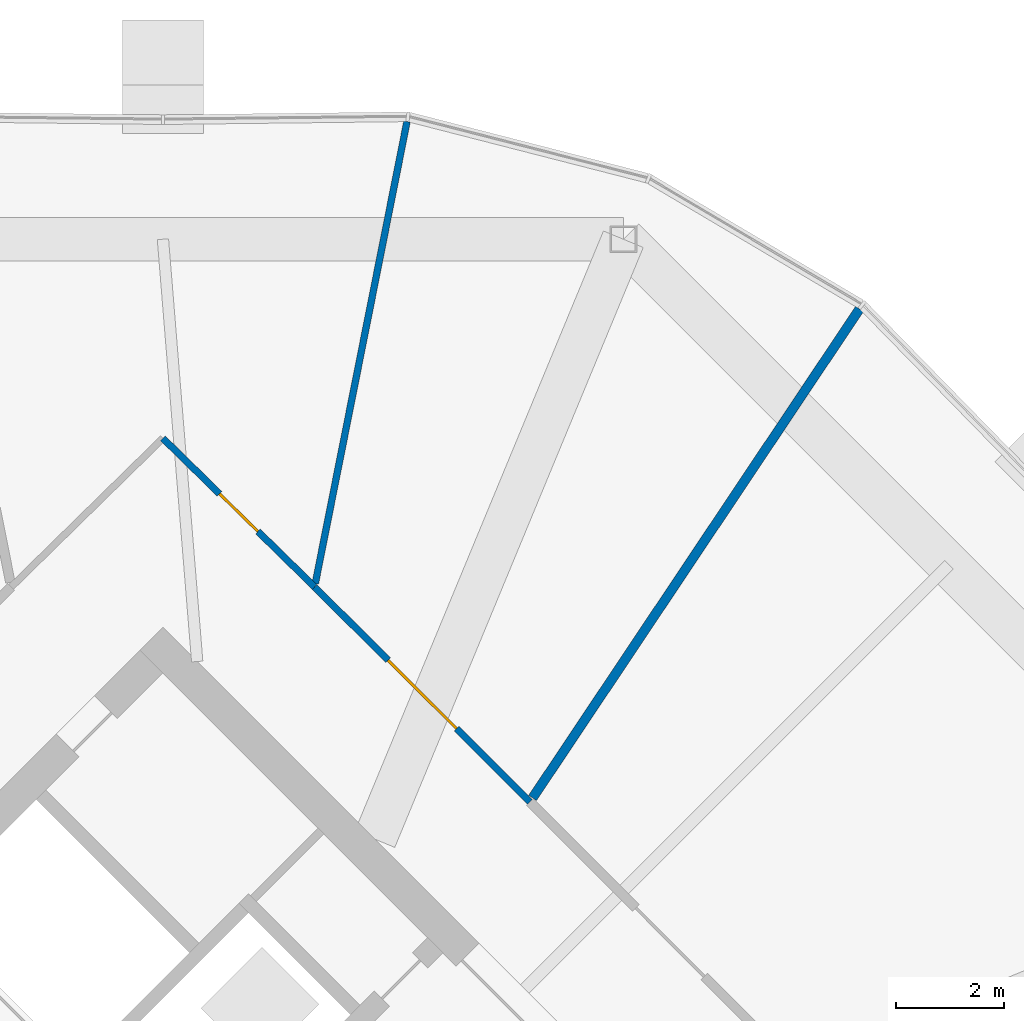
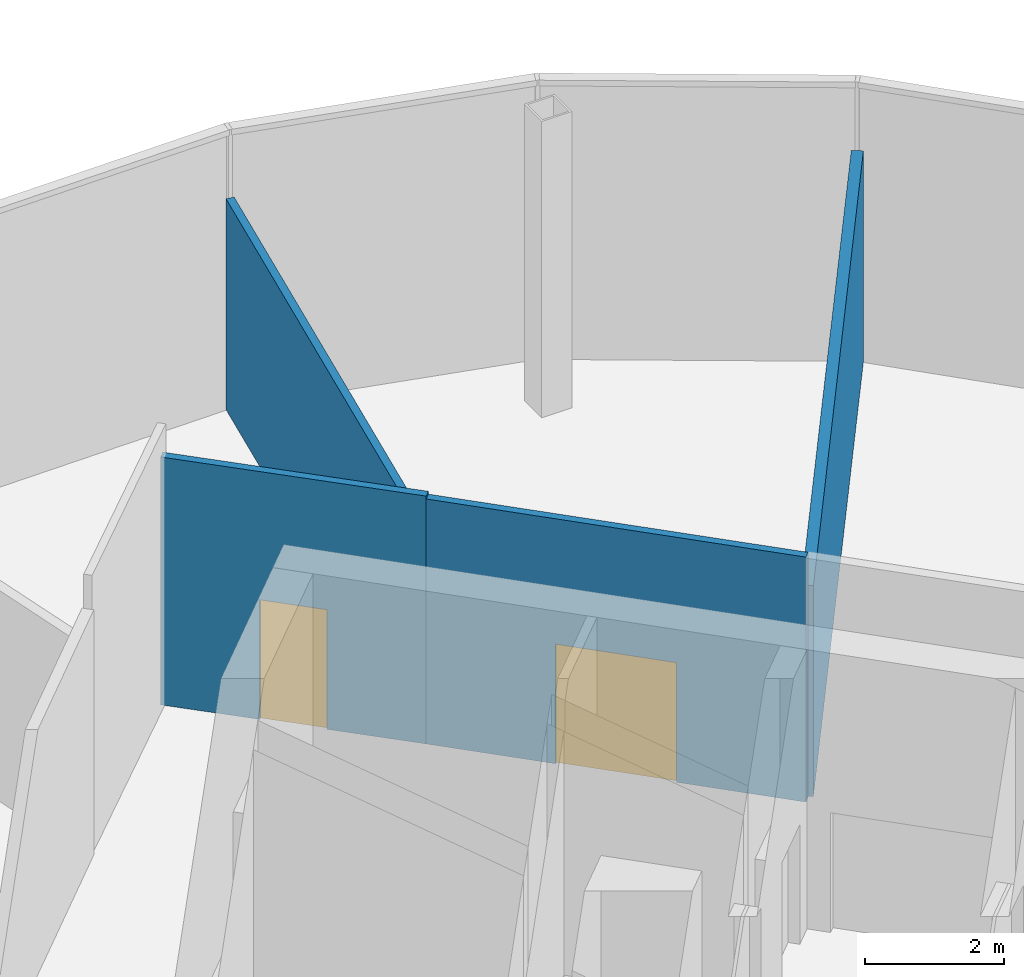
# One storey, part 24 of 28: 4 walls, 2 doors, 2 openings.
"""IFC4 building model written with IfcOpenShell, lengths in metres."""

import ifcopenshell
import ifcopenshell.guid

model = None  # the IFC model being written
_history = None  # IfcOwnerHistory: only IFC2X3 demands one
_inside = {}  # id of a spatial element -> (the spatial element, [elements in it])
_under = {}  # id of a project, library or spatial element -> (it, [spatial elements below it])
_declared = {}  # id of a project -> (the project, [libraries it declares])
_typed = {}  # id of a type object -> (the type object, [elements of that type])
_made_of = {}  # id of a material, layer set ... -> (it, [elements and type objects made of it])


def new_model(schema):
    """Start an empty IFC model of exactly this schema.

    Asked for "IFC4X3", IfcOpenShell would pick the latest addendum, in which some entities
    have other attributes; the version numbers below select the first issue.
    IFC2X3 requires an IfcOwnerHistory on every rooted entity: one is made here for all.
    """
    global model, _history
    if schema == "IFC4X3":
        model = ifcopenshell.file(schema_version=(4, 3, 0, 0))
    else:
        model = ifcopenshell.file(schema=schema)
    _inside.clear()
    _under.clear()
    _declared.clear()
    _typed.clear()
    _made_of.clear()
    _history = None
    if model.schema == "IFC2X3":
        org = make("IfcOrganization", Name="unknown")
        user = make(
            "IfcPersonAndOrganization",
            ThePerson=make("IfcPerson", FamilyName="unknown"),
            TheOrganization=org,
        )
        app = make(
            "IfcApplication",
            ApplicationDeveloper=org,
            Version="unknown",
            ApplicationFullName="unknown",
            ApplicationIdentifier="unknown",
        )
        _history = make(
            "IfcOwnerHistory",
            OwningUser=user,
            OwningApplication=app,
            ChangeAction="ADDED",
            CreationDate=0,
        )
    return model


def make(cls, **values):
    """One entity of the class cls with the attributes given. An attribute that is None is left unset."""
    return model.create_entity(
        cls, **{name: value for name, value in values.items() if value is not None}
    )


def rooted(cls, **values):
    """An entity with a GlobalId (a new one), such as an element, a storey or a relation."""
    return make(cls, GlobalId=ifcopenshell.guid.new(), OwnerHistory=_history, **values)


def si_unit(unit_type, name, prefix=None):
    """IfcSIUnit, for example si_unit("LENGTHUNIT", "METRE", prefix="MILLI")."""
    return make("IfcSIUnit", UnitType=unit_type, Prefix=prefix, Name=name)


def assignment(units):
    """IfcUnitAssignment: the units of a project."""
    return None if units is None else make("IfcUnitAssignment", Units=units)


def point(xyz):
    """IfcCartesianPoint."""
    return None if xyz is None else make("IfcCartesianPoint", Coordinates=xyz)


def direction(xyz):
    """IfcDirection."""
    return None if xyz is None else make("IfcDirection", DirectionRatios=xyz)


def frame(location, z_axis=None, x_axis=None):
    """IfcAxis2Placement3D, a coordinate frame: its origin and axes. An axis left out is left unset."""
    return make(
        "IfcAxis2Placement3D",
        Location=point(location),
        Axis=direction(z_axis),
        RefDirection=direction(x_axis),
    )


def frame_2d(location, x_axis=None):
    """IfcAxis2Placement2D, a coordinate frame in the plane: its origin and x axis."""
    return make(
        "IfcAxis2Placement2D", Location=point(location), RefDirection=direction(x_axis)
    )


def origin():
    """The frame at (0, 0, 0) with its axes left unset."""
    return frame((0.0, 0.0, 0.0))


def place(relative_to, where):
    """IfcLocalPlacement: puts the frame where relative to a parent placement (None: the world)."""
    return make(
        "IfcLocalPlacement", PlacementRelTo=relative_to, RelativePlacement=where
    )


def context(
    kind, dimensions, precision=None, world=None, true_north=None, identifier=None
):
    """IfcGeometricRepresentationContext, for example the 3D "Model" context."""
    return make(
        "IfcGeometricRepresentationContext",
        ContextIdentifier=identifier,
        ContextType=kind,
        CoordinateSpaceDimension=dimensions,
        Precision=precision,
        WorldCoordinateSystem=world,
        TrueNorth=true_north,
    )


def subcontext(parent, identifier, kind, view, scale=None):
    """IfcGeometricRepresentationSubContext, for example "Body" below "Model"."""
    return make(
        "IfcGeometricRepresentationSubContext",
        ContextIdentifier=identifier,
        ContextType=kind,
        ParentContext=parent,
        TargetScale=scale,
        TargetView=view,
    )


def project(units=None, contexts=None):
    """IfcProject with its units and contexts."""
    return rooted(
        "IfcProject",
        Name="project",
        RepresentationContexts=contexts,
        UnitsInContext=assignment(units),
    )


def spatial(cls, under=None, at=None, **own):
    """A site, building, storey or space (cls), placed at a placement, below another one or the project."""
    s = rooted(cls, ObjectPlacement=at, **own)
    if under is not None:
        _under.setdefault(under.id(), (under, []))[1].append(s)
    return s


def profile(cls, at=None, kind="AREA", **sizes):
    """A parametric profile (cls). Its sizes go by their IFC names, for example OverallWidth=200.0."""
    return make(cls, ProfileType=kind, Position=at, **sizes)


def rectangle(**sizes):
    """IfcRectangleProfileDef."""
    return profile("IfcRectangleProfileDef", **sizes)


def extrude(swept, where, along, depth):
    """IfcExtrudedAreaSolid: the profile swept, set in the frame where, extruded along a direction by depth."""
    return make(
        "IfcExtrudedAreaSolid",
        SweptArea=swept,
        Position=where,
        ExtrudedDirection=direction(along),
        Depth=depth,
    )


def shape(context_of_items, identifier, shape_type, items):
    """IfcShapeRepresentation: the items that make up one representation, for example the "Body"."""
    return make(
        "IfcShapeRepresentation",
        ContextOfItems=context_of_items,
        RepresentationIdentifier=identifier,
        RepresentationType=shape_type,
        Items=items,
    )


def material(Name=None, Category=None):
    """IfcMaterial."""
    return make("IfcMaterial", Name=Name, Category=Category)


def layer(
    of_material, thickness, ventilated=None, Name=None, Category=None, Priority=None
):
    """IfcMaterialLayer: one layer of a wall or slab, of a material (None: an air gap)."""
    return make(
        "IfcMaterialLayer",
        Material=of_material,
        LayerThickness=thickness,
        IsVentilated=ventilated,
        Name=Name,
        Category=Category,
        Priority=Priority,
    )


def layer_set(layers, Name=None):
    """IfcMaterialLayerSet."""
    return make("IfcMaterialLayerSet", MaterialLayers=layers, LayerSetName=Name)


def made_of(thing, what):
    """Note that an element or type object is made of a material, layer set ...; save() writes the relation."""
    if what is not None:
        _made_of.setdefault(what.id(), (what, []))[1].append(thing)
    return thing


def type_object(cls, material=None, **own):
    """A type object (cls), such as IfcWallType, which elements share."""
    return made_of(rooted(cls, **own), material)


def element(
    cls,
    number,
    at=None,
    inside=None,
    cuts=None,
    type_object=None,
    material=None,
    context=None,
    identifier="Body",
    shape_type=None,
    held_by="IfcProductDefinitionShape",
    body=None,
    shapes=None,
    **own,
):
    """One element of the class cls, such as IfcWall. Its Tag is "e" and its number.

    at: its placement. inside: the storey or other place that contains it. cuts: it is an
    opening in that element (IfcRelVoidsElement). A single representation is given by context,
    identifier, shape_type and body (its items); several are given by shapes. held_by: the class
    of the entity that holds the representations. save() writes the other relations.
    """
    e = rooted(cls, Tag="e%d" % number, ObjectPlacement=at, **own)
    if body is not None:
        shapes = [shape(context, identifier, shape_type, body)]
    if shapes is not None:
        e.Representation = make(held_by, Representations=shapes)
    if inside is not None:
        _inside.setdefault(inside.id(), (inside, []))[1].append(e)
    if cuts is not None:
        rooted(
            "IfcRelVoidsElement", RelatingBuildingElement=cuts, RelatedOpeningElement=e
        )
    if type_object is not None:
        _typed.setdefault(type_object.id(), (type_object, []))[1].append(e)
    return made_of(e, material)


def fill(opening, filler):
    """IfcRelFillsElement: the door or window that sits in an opening."""
    return rooted(
        "IfcRelFillsElement",
        RelatingOpeningElement=opening,
        RelatedBuildingElement=filler,
    )


def aggregate(whole, parts):
    """IfcRelAggregates: a whole, such as a stair, and the parts it consists of."""
    return rooted("IfcRelAggregates", RelatingObject=whole, RelatedObjects=parts)


def save(model, path):
    """Write the relations noted so far, then the file.

    IfcRelAggregates (storeys below a building ...), IfcRelContainedInSpatialStructure (elements
    in a storey), IfcRelDefinesByType, IfcRelAssociatesMaterial and IfcRelDeclares: one each for
    every whole, place, type object, material and project.
    """
    for whole, parts in _under.values():
        aggregate(whole, parts)
    for where, things in _inside.values():
        rooted(
            "IfcRelContainedInSpatialStructure",
            RelatedElements=things,
            RelatingStructure=where,
        )
    for kind, things in _typed.values():
        rooted("IfcRelDefinesByType", RelatedObjects=things, RelatingType=kind)
    for what, things in _made_of.values():
        rooted("IfcRelAssociatesMaterial", RelatedObjects=things, RelatingMaterial=what)
    for by, libraries in _declared.values():
        rooted("IfcRelDeclares", RelatingContext=by, RelatedDefinitions=libraries)
    model.write(path)


model = new_model("IFC4")

# Units and contexts
model_context = context("Model", 3, precision=1e-05, world=origin(), true_north=direction((0.0, 1.0)))
body_context = subcontext(model_context, "Body", "Model", "MODEL_VIEW")
ifc_project = project(units=[si_unit("LENGTHUNIT", "METRE"), si_unit("AREAUNIT", "SQUARE_METRE"), si_unit("VOLUMEUNIT", "CUBIC_METRE"), si_unit("PLANEANGLEUNIT", "RADIAN"), si_unit("MASSUNIT", "GRAM", prefix="KILO")], contexts=[model_context])

# Site, building, storey
site_placement = place(None, origin())
site = spatial("IfcSite", under=ifc_project, at=site_placement, CompositionType="ELEMENT")
building_placement = place(site_placement, origin())
building = spatial("IfcBuilding", under=site, at=building_placement, Name="Ogive Gate Towers", CompositionType="ELEMENT")
storey_placement = place(building_placement, frame((0.0, 0.0, 135.60009765625)))
storey = spatial("IfcBuildingStorey", under=building, at=storey_placement, Name="L32", CompositionType="ELEMENT", Elevation=135.60009765625)

# Walls
ifc_material_1 = material(Name="Gypsum board acoustic partition")
ifc_layer_1 = layer(ifc_material_1, 0.175048828125)
ifc_layer_set_1 = layer_set([ifc_layer_1], Name="Acoustic partition 175")
wall_type_1 = type_object("IfcWallType", Name="Acoustic partition 175", PredefinedType="PARTITIONING", material=ifc_layer_set_1)
wall_1_placement = place(storey_placement, frame((48.934326171875, 19.343505859375, 0.0), z_axis=(0.0, 0.0, 1.0), x_axis=(-0.555865521745, -0.831272230822, 0.0)))
element("IfcWall", 1, at=wall_1_placement, inside=storey, type_object=wall_type_1, Name="Partition T2-L32-002", PredefinedType="PARTITIONING", context=body_context, shape_type="SweptSolid", body=[
    extrude(rectangle(XDim=10.92138671875, YDim=0.175048828125, at=frame_2d((5.460693359375, 0.0))), origin(), (0.0, 0.0, 1.0), 3.699951171875),
])
ifc_material_2 = material(Name="Gypsum board partition")
ifc_layer_2 = layer(ifc_material_2, 0.125)
ifc_layer_set_2 = layer_set([ifc_layer_2], Name="Partition 125")
wall_type_2 = type_object("IfcWallType", Name="Partition 125", PredefinedType="PARTITIONING", material=ifc_layer_set_2)
wall_2_placement = place(storey_placement, frame((40.531982421875, 22.823974609375, 0.0), z_axis=(0.0, 0.0, 1.0), x_axis=(-0.194747146524, -0.980853479843, 0.0)))
element("IfcWall", 2, at=wall_2_placement, inside=storey, type_object=wall_type_2, Name="Partition T2-L32-003", PredefinedType="PARTITIONING", context=body_context, shape_type="SweptSolid", body=[
    extrude(rectangle(XDim=8.74658203125, YDim=0.125, at=frame_2d((4.373291015625, 0.0))), origin(), (0.0, 0.0, 1.0), 3.699951171875),
])

# Wall, opening, door
wall_3_placement = place(storey_placement, frame((42.81494140625, 10.19189453125, 0.0), z_axis=(0.0, 0.0, 1.0), x_axis=(-0.707711477876, 0.706501566936, 0.0)))
wall_3 = element("IfcWall", 3, at=wall_3_placement, inside=storey, type_object=wall_type_2, Name="Partition T2-L32-019", PredefinedType="PARTITIONING", context=body_context, shape_type="SweptSolid", body=[
    extrude(rectangle(XDim=5.64990234375, YDim=0.125, at=frame_2d((2.824951171875, 0.0))), origin(), (0.0, 0.0, 1.0), 4.2998046875),
])
opening_1_placement = place(wall_3_placement, frame((1.925048828125, 0.0, 0.0)))
opening_1 = element("IfcOpeningElement", 4, at=opening_1_placement, cuts=wall_3, Name="Opening T2-L32-D07", PredefinedType="OPENING", context=body_context, shape_type="SweptSolid", body=[
    extrude(rectangle(XDim=1.800048828125, YDim=2.10009765625, at=frame_2d((0.89990234375, 1.050048828125))), frame((0.0, 0.072509765625, 0.0), z_axis=(0.0, -1.0, 0.0), x_axis=(1.0, 0.0, 0.0)), (0.0, 0.0, 1.0), 0.14501953125),
])
ifc_material_3 = material(Name="Timber door", Category="wood")
door_type_1 = type_object("IfcDoorType", Name="Door pair 1800", OperationType="NOTDEFINED", PredefinedType="DOOR", material=ifc_material_3)
door_1_placement = place(opening_1_placement, origin())
door_1 = element("IfcDoor", 5, at=door_1_placement, inside=storey, type_object=door_type_1, Name="Door T2-L32-D07", OperationType="DOUBLE_DOOR_DOUBLE_SWING", OverallHeight=2.10009765625, OverallWidth=1.800048828125, PredefinedType="DOOR", context=body_context, shape_type="SweptSolid", body=[
    extrude(rectangle(XDim=1.800048828125, YDim=2.10009765625, at=frame_2d((0.89990234375, 1.050048828125))), frame((0.0, 0.02490234375, 0.0), z_axis=(0.0, -1.0, 0.0), x_axis=(1.0, 0.0, 0.0)), (0.0, 0.0, 1.0), 0.050048828125),
])
fill(opening_1, door_1)

wall_4_placement = place(storey_placement, frame((38.81640625, 14.18359375, 0.0), z_axis=(0.0, 0.0, 1.0), x_axis=(-0.714376270478, 0.699761776734, 0.0)))
wall_4 = element("IfcWall", 6, at=wall_4_placement, inside=storey, type_object=wall_type_2, Name="Partition T2-L32-020", PredefinedType="PARTITIONING", context=body_context, shape_type="SweptSolid", body=[
    extrude(rectangle(XDim=3.9423828125, YDim=0.125, at=frame_2d((1.97119140625, 0.0))), origin(), (0.0, 0.0, 1.0), 4.349853515625),
])
opening_2_placement = place(wall_4_placement, frame((1.470947265625, 0.0, 0.0)))
opening_2 = element("IfcOpeningElement", 7, at=opening_2_placement, cuts=wall_4, Name="Opening T2-L32-D08", PredefinedType="OPENING", context=body_context, shape_type="SweptSolid", body=[
    extrude(rectangle(XDim=1.0, YDim=2.10009765625, at=frame_2d((0.5, 1.050048828125))), frame((0.0, 0.072509765625, 0.0), z_axis=(0.0, -1.0, 0.0), x_axis=(1.0, 0.0, 0.0)), (0.0, 0.0, 1.0), 0.14501953125),
])
door_type_2 = type_object("IfcDoorType", Name="Door 1000", OperationType="NOTDEFINED", PredefinedType="DOOR", material=ifc_material_3)
door_2_placement = place(opening_2_placement, origin())
door_2 = element("IfcDoor", 8, at=door_2_placement, inside=storey, type_object=door_type_2, Name="Door T2-L32-D08", OperationType="SINGLE_SWING_RIGHT", OverallHeight=2.10009765625, OverallWidth=1.0, PredefinedType="DOOR", context=body_context, shape_type="SweptSolid", body=[
    extrude(rectangle(XDim=1.0, YDim=2.10009765625, at=frame_2d((0.5, 1.050048828125))), frame((0.0, 0.02490234375, 0.0), z_axis=(0.0, -1.0, 0.0), x_axis=(1.0, 0.0, 0.0)), (0.0, 0.0, 1.0), 0.050048828125),
])
fill(opening_2, door_2)

save(model, "model.ifc")
